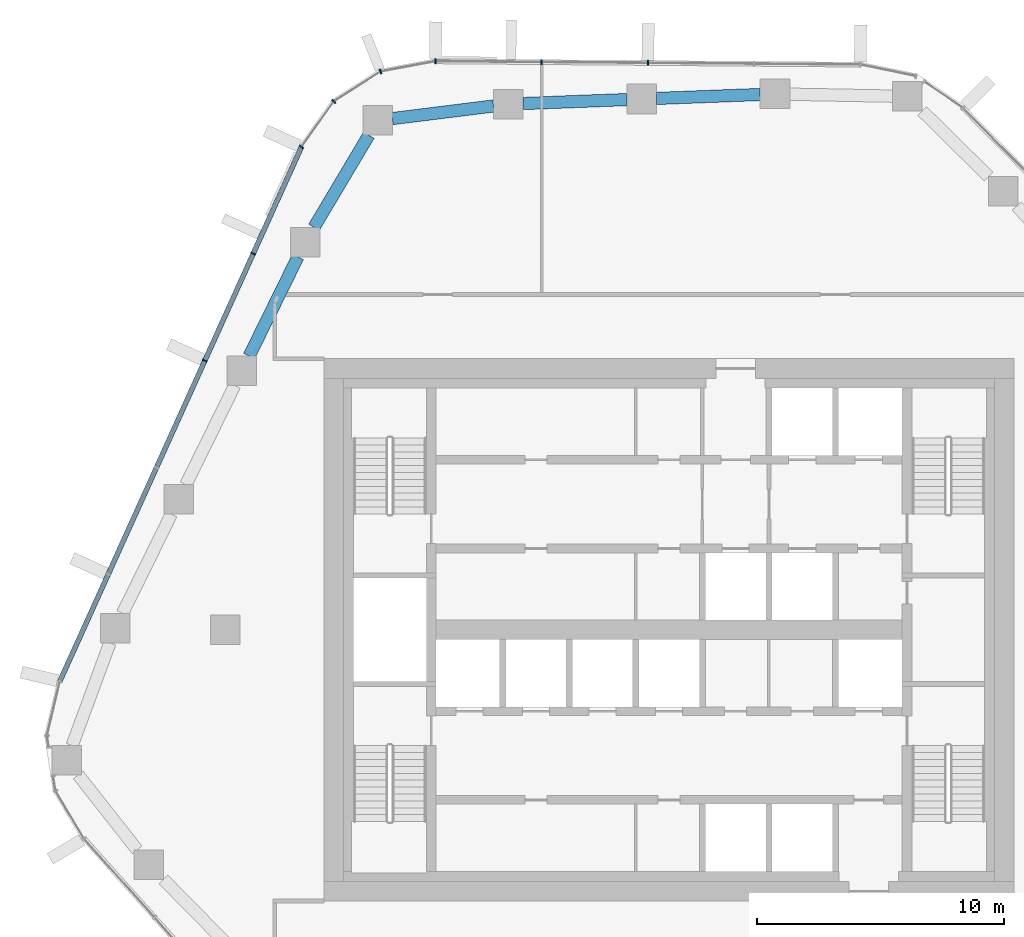
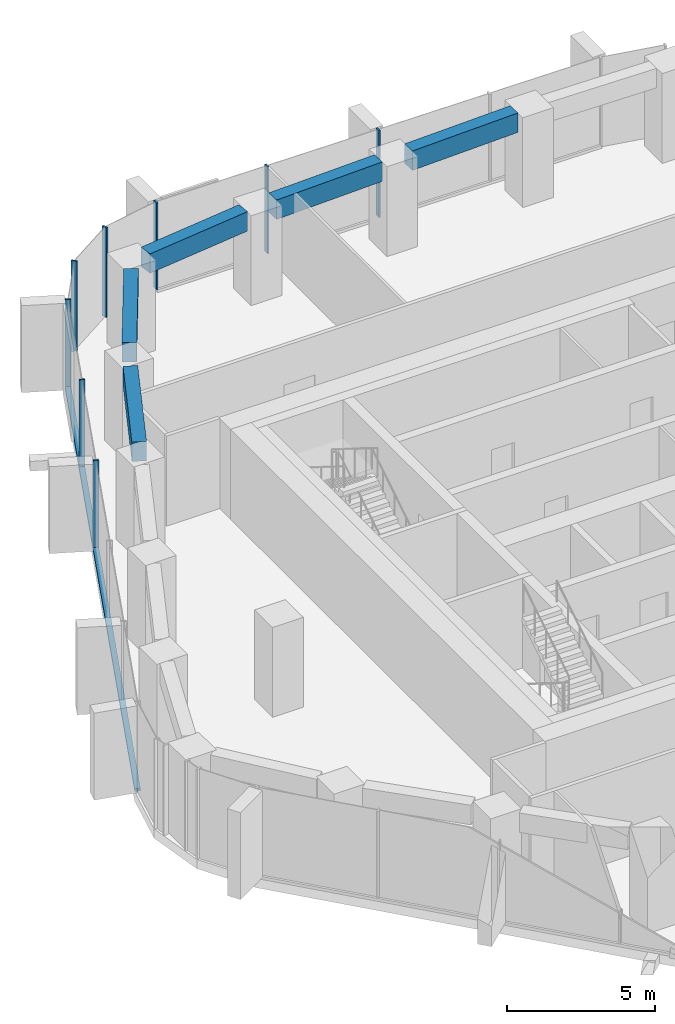
# One storey, part 5 of 17: 9 members, 5 beams, 3 elements without a shape of their own.
"""IFC4 building model written with IfcOpenShell, lengths in metres."""

from ifc_helpers import new_model, si_unit, direction, frame, origin, origin_2d, place, context, subcontext, project, spatial, rectangle, extrude, material, layer, layer_set, material_profile, profile_set, type_object, element, aggregate, save


model = new_model("IFC4")

# Units and contexts
model_context = context("Model", 3, precision=1e-05, world=origin(), true_north=direction((0.0, 1.0)))
body_context = subcontext(model_context, "Body", "Model", "MODEL_VIEW")
ifc_project = project(units=[si_unit("LENGTHUNIT", "METRE"), si_unit("AREAUNIT", "SQUARE_METRE"), si_unit("VOLUMEUNIT", "CUBIC_METRE"), si_unit("PLANEANGLEUNIT", "RADIAN"), si_unit("MASSUNIT", "GRAM", prefix="KILO")], contexts=[model_context])

# Site, building, storey
site_placement = place(None, origin())
site = spatial("IfcSite", under=ifc_project, at=site_placement, CompositionType="ELEMENT")
building_placement = place(site_placement, origin())
building = spatial("IfcBuilding", under=site, at=building_placement, Name="Dongbaek Canopy Tower", CompositionType="ELEMENT")
storey_placement = place(building_placement, frame((0.0, 0.0, 179.60009765625)))
storey = spatial("IfcBuildingStorey", under=building, at=storey_placement, Name="L39", CompositionType="ELEMENT", Elevation=179.60009765625)

# Curtain wall, members
ifc_material_1 = material(Name="Aluminium 6063-T6 pale anodised", Category="aluminium")
ifc_layer = layer(ifc_material_1, 0.199951171875)
ifc_layer_set = layer_set([ifc_layer], Name="CW-1 unitised tower curtain wall")
curtain_wall_type = type_object("IfcCurtainWallType", Name="CW-1 unitised tower curtain wall", PredefinedType="NOTDEFINED", material=ifc_layer_set)
curtain_wall_1_placement = place(storey_placement, origin())
curtain_wall_1 = element("IfcCurtainWall", 1, at=curtain_wall_1_placement, inside=storey, type_object=curtain_wall_type, Name="CW-1 curtain wall F1.1", PredefinedType="NOTDEFINED")
ifc_material_2 = material(Name="Aluminium 6063-T6 pale anodised", Category="aluminium")
ifc_material_profile_1 = material_profile(ifc_material_2, rectangle(XDim=0.199951171875, YDim=0.06005859375, at=origin_2d()), Name="CW-1 mullion 60 x 200")
ifc_profile_set_1 = profile_set([ifc_material_profile_1], Name="Aluminium 6063-T6 pale anodised")
member_type_1 = type_object("IfcMemberType", Name="CW-1 mullion 60 x 200", PredefinedType="MULLION", material=ifc_profile_set_1)
member_1_placement = place(storey_placement, frame((-0.8603515625, 22.994873046875, 0.119873046875), z_axis=(0.0, 0.0, 1.0), x_axis=(0.007847305301, 0.999969209426, 0.0)))
member_1 = element("IfcMember", 2, at=member_1_placement, type_object=member_type_1, Name="CW-1 mullion F1.1.3", PredefinedType="MULLION", context=body_context, shape_type="SweptSolid", body=[
    extrude(rectangle(XDim=0.199951171875, YDim=0.06005859375, at=origin_2d()), origin(), (0.0, 0.0, 1.0), 3.580078125),
])
member_2_placement = place(storey_placement, frame((-5.17333984375, 23.028564453125, 0.119873046875), z_axis=(0.0, 0.0, 1.0), x_axis=(0.007847305301, 0.999969209426, 0.0)))
member_2 = element("IfcMember", 3, at=member_2_placement, type_object=member_type_1, Name="CW-1 mullion F1.1.4", PredefinedType="MULLION", context=body_context, shape_type="SweptSolid", body=[
    extrude(rectangle(XDim=0.199951171875, YDim=0.06005859375, at=origin_2d()), origin(), (0.0, 0.0, 1.0), 3.580078125),
])
member_3_placement = place(storey_placement, frame((-9.476806640625, 23.0625, 0.119873046875), z_axis=(0.0, 0.0, 1.0), x_axis=(0.007847305301, 0.999969209426, 0.0)))
member_3 = element("IfcMember", 4, at=member_3_placement, type_object=member_type_1, Name="CW-1 mullion F1.1.5", PredefinedType="MULLION", context=body_context, shape_type="SweptSolid", body=[
    extrude(rectangle(XDim=0.199951171875, YDim=0.06005859375, at=origin_2d()), origin(), (0.0, 0.0, 1.0), 3.580078125),
])
aggregate(curtain_wall_1, [member_1, member_2, member_3])

curtain_wall_2_placement = place(storey_placement, origin())
curtain_wall_2 = element("IfcCurtainWall", 5, at=curtain_wall_2_placement, inside=storey, type_object=curtain_wall_type, Name="CW-1 curtain wall K2.1", PredefinedType="NOTDEFINED")
member_4_placement = place(storey_placement, frame((-11.702880859375, 22.64697265625, 0.0), z_axis=(0.0, 0.0, 1.0), x_axis=(-0.367936190525, 0.929851041674, 0.0)))
member_4 = element("IfcMember", 6, at=member_4_placement, type_object=member_type_1, Name="CW-1 mullion K2.1.2", PredefinedType="MULLION", context=body_context, shape_type="SweptSolid", body=[
    extrude(rectangle(XDim=0.199951171875, YDim=0.06005859375, at=origin_2d()), origin(), (0.0, 0.0, 1.0), 3.699951171875),
])
member_5_placement = place(storey_placement, frame((-13.602294921875, 21.43212890625, 0.0), z_axis=(0.0, 0.0, 1.0), x_axis=(-0.689953246912, 0.723853933522, 0.0)))
member_5 = element("IfcMember", 7, at=member_5_placement, type_object=member_type_1, Name="CW-1 mullion K2.1.3", PredefinedType="MULLION", context=body_context, shape_type="SweptSolid", body=[
    extrude(rectangle(XDim=0.199951171875, YDim=0.06005859375, at=origin_2d()), origin(), (0.0, 0.0, 1.0), 3.699951171875),
])
member_6_placement = place(storey_placement, frame((-14.91259765625, 19.585205078125, 0.0), z_axis=(0.0, 0.0, 1.0), x_axis=(-0.815586707946, 0.578634877813, 0.0)))
member_6 = element("IfcMember", 8, at=member_6_placement, type_object=member_type_1, Name="CW-1 mullion K2.1.4", PredefinedType="MULLION", context=body_context, shape_type="SweptSolid", body=[
    extrude(rectangle(XDim=0.199951171875, YDim=0.06005859375, at=origin_2d()), origin(), (0.0, 0.0, 1.0), 3.699951171875),
])
aggregate(curtain_wall_2, [member_4, member_5, member_6])

curtain_wall_3_placement = place(storey_placement, origin())
curtain_wall_3 = element("IfcCurtainWall", 9, at=curtain_wall_3_placement, inside=storey, type_object=curtain_wall_type, Name="CW-1 curtain wall F2.1", PredefinedType="NOTDEFINED")
member_7_placement = place(storey_placement, frame((-16.87060546875, 15.255859375, 0.119873046875), z_axis=(0.0, 0.0, 1.0), x_axis=(-0.911147578037, 0.412080199763, 0.0)))
member_7 = element("IfcMember", 10, at=member_7_placement, type_object=member_type_1, Name="CW-1 mullion F2.1.2", PredefinedType="MULLION", context=body_context, shape_type="SweptSolid", body=[
    extrude(rectangle(XDim=0.199951171875, YDim=0.06005859375, at=origin_2d()), origin(), (0.0, 0.0, 1.0), 3.580078125),
])
member_8_placement = place(storey_placement, frame((-18.83251953125, 10.91796875, 0.119873046875), z_axis=(0.0, 0.0, 1.0), x_axis=(-0.911147578037, 0.412080199763, 0.0)))
member_8 = element("IfcMember", 11, at=member_8_placement, type_object=member_type_1, Name="CW-1 mullion F2.1.3", PredefinedType="MULLION", context=body_context, shape_type="SweptSolid", body=[
    extrude(rectangle(XDim=0.199951171875, YDim=0.06005859375, at=origin_2d()), origin(), (0.0, 0.0, 1.0), 3.580078125),
])
ifc_material_3 = material(Name="Aluminium 6063-T6 pale anodised", Category="aluminium")
ifc_material_profile_2 = material_profile(ifc_material_3, rectangle(XDim=0.199951171875, YDim=0.1201171875, at=origin_2d()), Name="CW-1 transom 120 x 200")
ifc_profile_set_2 = profile_set([ifc_material_profile_2], Name="Aluminium 6063-T6 pale anodised")
member_type_2 = type_object("IfcMemberType", Name="CW-1 transom 120 x 200", PredefinedType="USERDEFINED", material=ifc_profile_set_2)
member_9_placement = place(storey_placement, frame((-14.91259765625, 19.585205078125, 0.059814453125), z_axis=(-0.412075359847, -0.911149766947, 0.0), x_axis=(0.911149766947, -0.412075359847, 0.0)))
member_9 = element("IfcMember", 12, at=member_9_placement, type_object=member_type_2, Name="CW-1 transom F2.1.1", ObjectType="TRANSOM", PredefinedType="USERDEFINED", context=body_context, shape_type="SweptSolid", body=[
    extrude(rectangle(XDim=0.199951171875, YDim=0.1201171875, at=origin_2d()), origin(), (0.0, 0.0, 1.0), 23.78564453125),
])
aggregate(curtain_wall_3, [member_7, member_8, member_9])

# Beams
ifc_material_4 = material(Name="Concrete C70", Category="concrete")
ifc_material_profile_3 = material_profile(ifc_material_4, rectangle(XDim=0.5, YDim=0.800048828125, at=origin_2d()), Name="RC EDGE BEAM 500x800 C70")
ifc_profile_set_3 = profile_set([ifc_material_profile_3], Name="Concrete C70")
beam_type = type_object("IfcBeamType", Name="RC EDGE BEAM 500x800 C70", PredefinedType="BEAM", material=ifc_profile_set_3)
beam_1_placement = place(storey_placement, frame((-17.032958984375, 11.10498046875, 3.2998046875), z_axis=(0.441228982876, 0.89739455351, 0.0), x_axis=(-0.89739455351, 0.441228982876, 0.0)))
element("IfcBeam", 13, at=beam_1_placement, inside=storey, type_object=beam_type, Name="EDGEBEAM:L39:11", PredefinedType="BEAM", context=body_context, shape_type="SweptSolid", body=[
    extrude(rectangle(XDim=0.5, YDim=0.800048828125, at=origin_2d()), origin(), (0.0, 0.0, 1.0), 4.478515625),
])
beam_2_placement = place(storey_placement, frame((-14.40478515625, 16.323974609375, 3.2998046875), z_axis=(0.51151247975, 0.859275848061, 0.0), x_axis=(-0.859275848061, 0.51151247975, 0.0)))
element("IfcBeam", 14, at=beam_2_placement, inside=storey, type_object=beam_type, Name="EDGEBEAM:L39:12", PredefinedType="BEAM", context=body_context, shape_type="SweptSolid", body=[
    extrude(rectangle(XDim=0.5, YDim=0.800048828125, at=origin_2d()), origin(), (0.0, 0.0, 1.0), 4.34912109375),
])
beam_3_placement = place(storey_placement, frame((-11.222900390625, 20.73583984375, 3.2998046875), z_axis=(0.992289687294, 0.123940213368, 0.0), x_axis=(-0.123940213368, 0.992289687294, 0.0)))
element("IfcBeam", 15, at=beam_3_placement, inside=storey, type_object=beam_type, Name="EDGEBEAM:L39:13", PredefinedType="BEAM", context=body_context, shape_type="SweptSolid", body=[
    extrude(rectangle(XDim=0.5, YDim=0.800048828125, at=origin_2d()), origin(), (0.0, 0.0, 1.0), 4.1328125),
])
beam_4_placement = place(storey_placement, frame((-5.922119140625, 21.345947265625, 3.2998046875), z_axis=(0.999268092878, 0.038252824158, 0.0), x_axis=(-0.038252824158, 0.999268092878, 0.0)))
element("IfcBeam", 16, at=beam_4_placement, inside=storey, type_object=beam_type, Name="EDGEBEAM:L39:14", PredefinedType="BEAM", context=body_context, shape_type="SweptSolid", body=[
    extrude(rectangle(XDim=0.5, YDim=0.800048828125, at=origin_2d()), origin(), (0.0, 0.0, 1.0), 4.21240234375),
])
beam_5_placement = place(storey_placement, frame((-0.512939453125, 21.552978515625, 3.2998046875), z_axis=(0.999276508887, 0.0380323387, 0.0), x_axis=(-0.0380323387, 0.999276508887, 0.0)))
element("IfcBeam", 17, at=beam_5_placement, inside=storey, type_object=beam_type, Name="EDGEBEAM:L39:15", PredefinedType="BEAM", context=body_context, shape_type="SweptSolid", body=[
    extrude(rectangle(XDim=0.5, YDim=0.800048828125, at=origin_2d()), origin(), (0.0, 0.0, 1.0), 4.2109375),
])

save(model, "model.ifc")
